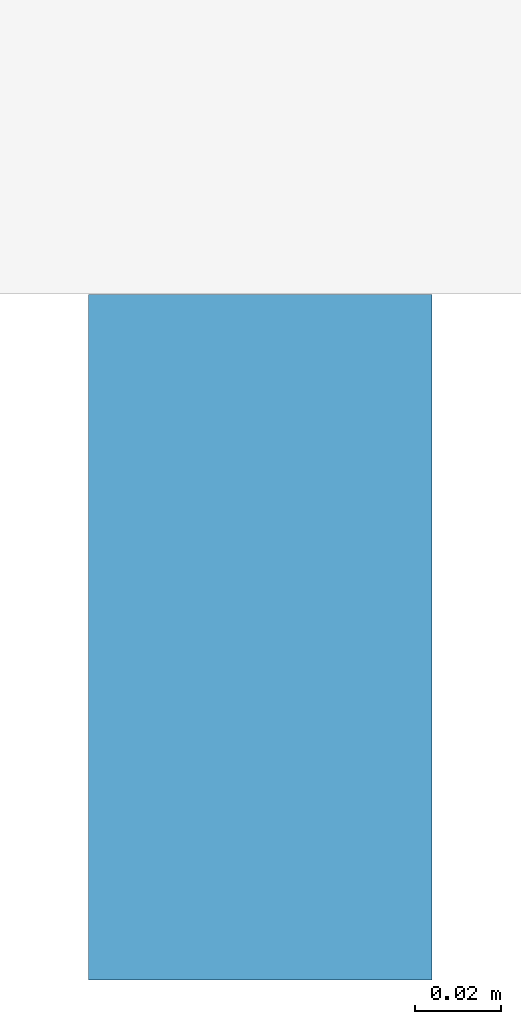
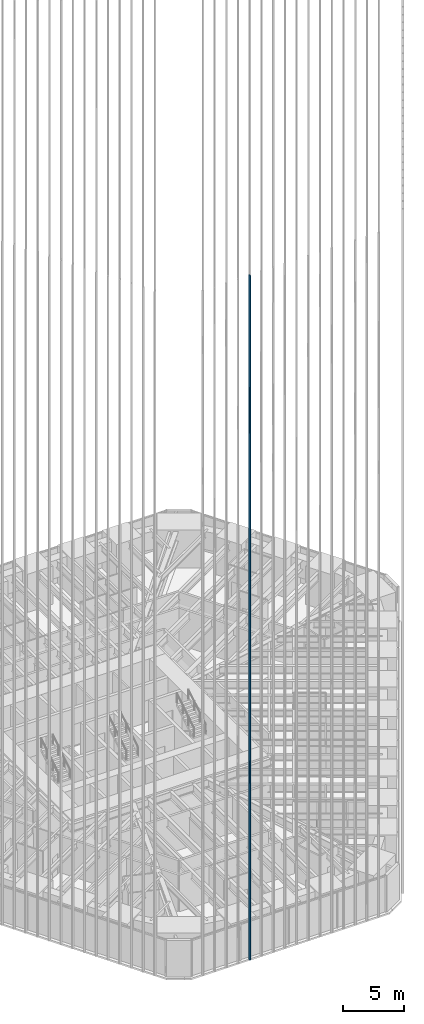
# One storey, part 32 of 256: 1 member, 1 element without a shape of its own.
"""IFC4 building model written with IfcOpenShell, lengths in metres."""

from ifc_helpers import new_model, si_unit, direction, frame, origin, origin_2d, place, context, subcontext, project, spatial, rectangle, extrude, material, material_profile, profile_set, type_object, element, aggregate, save


model = new_model("IFC4")

# Units and contexts
model_context = context("Model", 3, precision=1e-05, world=origin(), true_north=direction((0.0, 1.0)))
body_context = subcontext(model_context, "Body", "Model", "MODEL_VIEW")
ifc_project = project(units=[si_unit("LENGTHUNIT", "METRE"), si_unit("AREAUNIT", "SQUARE_METRE"), si_unit("VOLUMEUNIT", "CUBIC_METRE"), si_unit("PLANEANGLEUNIT", "RADIAN"), si_unit("MASSUNIT", "GRAM", prefix="KILO")], contexts=[model_context])

# Site, building, storey
site_placement = place(None, origin())
site = spatial("IfcSite", under=ifc_project, at=site_placement, CompositionType="ELEMENT")
building_placement = place(site_placement, origin())
building = spatial("IfcBuilding", under=site, at=building_placement, Name="Sandreach Pilgrim Tower", CompositionType="ELEMENT")
storey_placement = place(building_placement, frame((0.0, 0.0, 23.0)))
storey = spatial("IfcBuildingStorey", under=building, at=storey_placement, Name="L04", CompositionType="ELEMENT", Elevation=23.0)

# Curtain wall, member
ifc_material_1 = material(Name="Aluminium framed curtain wall", Category="aluminium")
curtain_wall_type = type_object("IfcCurtainWallType", Name="Hostel tower curtain wall", PredefinedType="NOTDEFINED", material=ifc_material_1)
curtain_wall_placement = place(storey_placement, origin())
curtain_wall = element("IfcCurtainWall", 1, at=curtain_wall_placement, inside=storey, type_object=curtain_wall_type, Name="CW-1 L04 S", PredefinedType="NOTDEFINED")
ifc_material_2 = material(Name="Extruded terracotta on aluminium core", Category="masonry")
ifc_material_profile = material_profile(ifc_material_2, rectangle(XDim=0.080078125, YDim=0.159912109375, at=origin_2d()), Name="TBS 80X160")
ifc_profile_set = profile_set([ifc_material_profile], Name="Extruded terracotta on aluminium core")
member_type = type_object("IfcMemberType", Name="Terracotta baguette south", PredefinedType="USERDEFINED", material=ifc_profile_set)
member_placement = place(storey_placement, frame((-3.8671875, -30.390869140625, 0.0), z_axis=(0.0, 0.0, 1.0), x_axis=(-1.0, 0.0, 0.0)))
member = element("IfcMember", 2, at=member_placement, type_object=member_type, Name="Baguette Z1 S12", ObjectType="BAGUETTE", PredefinedType="USERDEFINED", context=body_context, shape_type="SweptSolid", body=[
    extrude(rectangle(XDim=0.080078125, YDim=0.159912109375, at=origin_2d()), origin(), (0.0, 0.0, 1.0), 68.239990234375),
])
aggregate(curtain_wall, [member])

save(model, "model.ifc")
